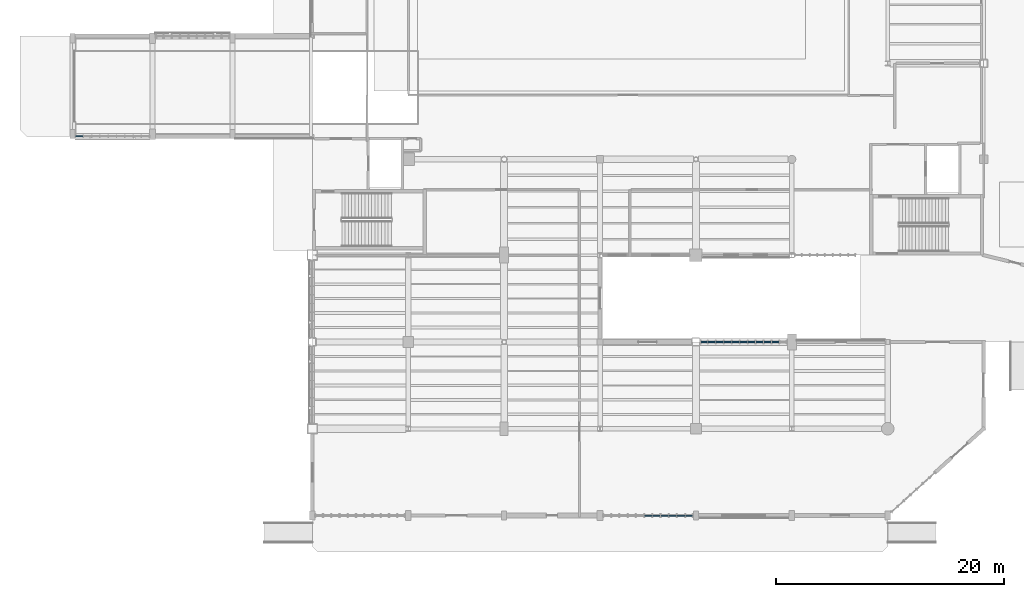
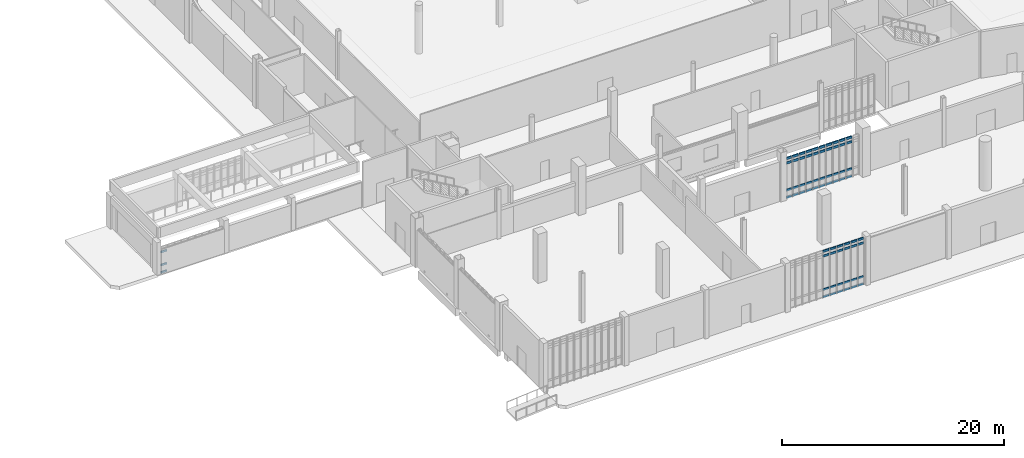
# One storey, part 37 of 111: 67 members, 3 elements without a shape of their own.
"""IFC4 building model written with IfcOpenShell, lengths in metres."""

import ifcopenshell
import ifcopenshell.guid

model = None  # the IFC model being written
_history = None  # IfcOwnerHistory: only IFC2X3 demands one
_inside = {}  # id of a spatial element -> (the spatial element, [elements in it])
_under = {}  # id of a project, library or spatial element -> (it, [spatial elements below it])
_declared = {}  # id of a project -> (the project, [libraries it declares])
_typed = {}  # id of a type object -> (the type object, [elements of that type])
_made_of = {}  # id of a material, layer set ... -> (it, [elements and type objects made of it])


def new_model(schema):
    """Start an empty IFC model of exactly this schema.

    Asked for "IFC4X3", IfcOpenShell would pick the latest addendum, in which some entities
    have other attributes; the version numbers below select the first issue.
    IFC2X3 requires an IfcOwnerHistory on every rooted entity: one is made here for all.
    """
    global model, _history
    if schema == "IFC4X3":
        model = ifcopenshell.file(schema_version=(4, 3, 0, 0))
    else:
        model = ifcopenshell.file(schema=schema)
    _inside.clear()
    _under.clear()
    _declared.clear()
    _typed.clear()
    _made_of.clear()
    _history = None
    if model.schema == "IFC2X3":
        org = make("IfcOrganization", Name="unknown")
        user = make(
            "IfcPersonAndOrganization",
            ThePerson=make("IfcPerson", FamilyName="unknown"),
            TheOrganization=org,
        )
        app = make(
            "IfcApplication",
            ApplicationDeveloper=org,
            Version="unknown",
            ApplicationFullName="unknown",
            ApplicationIdentifier="unknown",
        )
        _history = make(
            "IfcOwnerHistory",
            OwningUser=user,
            OwningApplication=app,
            ChangeAction="ADDED",
            CreationDate=0,
        )
    return model


def make(cls, **values):
    """One entity of the class cls with the attributes given. An attribute that is None is left unset."""
    return model.create_entity(
        cls, **{name: value for name, value in values.items() if value is not None}
    )


def rooted(cls, **values):
    """An entity with a GlobalId (a new one), such as an element, a storey or a relation."""
    return make(cls, GlobalId=ifcopenshell.guid.new(), OwnerHistory=_history, **values)


def si_unit(unit_type, name, prefix=None):
    """IfcSIUnit, for example si_unit("LENGTHUNIT", "METRE", prefix="MILLI")."""
    return make("IfcSIUnit", UnitType=unit_type, Prefix=prefix, Name=name)


def assignment(units):
    """IfcUnitAssignment: the units of a project."""
    return None if units is None else make("IfcUnitAssignment", Units=units)


def point(xyz):
    """IfcCartesianPoint."""
    return None if xyz is None else make("IfcCartesianPoint", Coordinates=xyz)


def direction(xyz):
    """IfcDirection."""
    return None if xyz is None else make("IfcDirection", DirectionRatios=xyz)


def frame(location, z_axis=None, x_axis=None):
    """IfcAxis2Placement3D, a coordinate frame: its origin and axes. An axis left out is left unset."""
    return make(
        "IfcAxis2Placement3D",
        Location=point(location),
        Axis=direction(z_axis),
        RefDirection=direction(x_axis),
    )


def frame_2d(location, x_axis=None):
    """IfcAxis2Placement2D, a coordinate frame in the plane: its origin and x axis."""
    return make(
        "IfcAxis2Placement2D", Location=point(location), RefDirection=direction(x_axis)
    )


def origin():
    """The frame at (0, 0, 0) with its axes left unset."""
    return frame((0.0, 0.0, 0.0))


def origin_2d():
    """The frame at (0, 0) in the plane with its x axis left unset."""
    return frame_2d((0.0, 0.0))


def place(relative_to, where):
    """IfcLocalPlacement: puts the frame where relative to a parent placement (None: the world)."""
    return make(
        "IfcLocalPlacement", PlacementRelTo=relative_to, RelativePlacement=where
    )


def context(
    kind, dimensions, precision=None, world=None, true_north=None, identifier=None
):
    """IfcGeometricRepresentationContext, for example the 3D "Model" context."""
    return make(
        "IfcGeometricRepresentationContext",
        ContextIdentifier=identifier,
        ContextType=kind,
        CoordinateSpaceDimension=dimensions,
        Precision=precision,
        WorldCoordinateSystem=world,
        TrueNorth=true_north,
    )


def subcontext(parent, identifier, kind, view, scale=None):
    """IfcGeometricRepresentationSubContext, for example "Body" below "Model"."""
    return make(
        "IfcGeometricRepresentationSubContext",
        ContextIdentifier=identifier,
        ContextType=kind,
        ParentContext=parent,
        TargetScale=scale,
        TargetView=view,
    )


def project(units=None, contexts=None):
    """IfcProject with its units and contexts."""
    return rooted(
        "IfcProject",
        Name="project",
        RepresentationContexts=contexts,
        UnitsInContext=assignment(units),
    )


def spatial(cls, under=None, at=None, **own):
    """A site, building, storey or space (cls), placed at a placement, below another one or the project."""
    s = rooted(cls, ObjectPlacement=at, **own)
    if under is not None:
        _under.setdefault(under.id(), (under, []))[1].append(s)
    return s


def profile(cls, at=None, kind="AREA", **sizes):
    """A parametric profile (cls). Its sizes go by their IFC names, for example OverallWidth=200.0."""
    return make(cls, ProfileType=kind, Position=at, **sizes)


def rectangle(**sizes):
    """IfcRectangleProfileDef."""
    return profile("IfcRectangleProfileDef", **sizes)


def extrude(swept, where, along, depth):
    """IfcExtrudedAreaSolid: the profile swept, set in the frame where, extruded along a direction by depth."""
    return make(
        "IfcExtrudedAreaSolid",
        SweptArea=swept,
        Position=where,
        ExtrudedDirection=direction(along),
        Depth=depth,
    )


def shape(context_of_items, identifier, shape_type, items):
    """IfcShapeRepresentation: the items that make up one representation, for example the "Body"."""
    return make(
        "IfcShapeRepresentation",
        ContextOfItems=context_of_items,
        RepresentationIdentifier=identifier,
        RepresentationType=shape_type,
        Items=items,
    )


def material(Name=None, Category=None):
    """IfcMaterial."""
    return make("IfcMaterial", Name=Name, Category=Category)


def material_profile(
    of_material, cross_section, Name=None, Category=None, Priority=None
):
    """IfcMaterialProfile: a cross section and its material."""
    return make(
        "IfcMaterialProfile",
        Name=Name,
        Material=of_material,
        Profile=cross_section,
        Priority=Priority,
        Category=Category,
    )


def profile_set(profiles, Name=None, composite=None):
    """IfcMaterialProfileSet."""
    return make(
        "IfcMaterialProfileSet",
        Name=Name,
        MaterialProfiles=profiles,
        CompositeProfile=composite,
    )


def made_of(thing, what):
    """Note that an element or type object is made of a material, layer set ...; save() writes the relation."""
    if what is not None:
        _made_of.setdefault(what.id(), (what, []))[1].append(thing)
    return thing


def type_object(cls, material=None, **own):
    """A type object (cls), such as IfcWallType, which elements share."""
    return made_of(rooted(cls, **own), material)


def element(
    cls,
    number,
    at=None,
    inside=None,
    cuts=None,
    type_object=None,
    material=None,
    context=None,
    identifier="Body",
    shape_type=None,
    held_by="IfcProductDefinitionShape",
    body=None,
    shapes=None,
    **own,
):
    """One element of the class cls, such as IfcWall. Its Tag is "e" and its number.

    at: its placement. inside: the storey or other place that contains it. cuts: it is an
    opening in that element (IfcRelVoidsElement). A single representation is given by context,
    identifier, shape_type and body (its items); several are given by shapes. held_by: the class
    of the entity that holds the representations. save() writes the other relations.
    """
    e = rooted(cls, Tag="e%d" % number, ObjectPlacement=at, **own)
    if body is not None:
        shapes = [shape(context, identifier, shape_type, body)]
    if shapes is not None:
        e.Representation = make(held_by, Representations=shapes)
    if inside is not None:
        _inside.setdefault(inside.id(), (inside, []))[1].append(e)
    if cuts is not None:
        rooted(
            "IfcRelVoidsElement", RelatingBuildingElement=cuts, RelatedOpeningElement=e
        )
    if type_object is not None:
        _typed.setdefault(type_object.id(), (type_object, []))[1].append(e)
    return made_of(e, material)


def aggregate(whole, parts):
    """IfcRelAggregates: a whole, such as a stair, and the parts it consists of."""
    return rooted("IfcRelAggregates", RelatingObject=whole, RelatedObjects=parts)


def save(model, path):
    """Write the relations noted so far, then the file.

    IfcRelAggregates (storeys below a building ...), IfcRelContainedInSpatialStructure (elements
    in a storey), IfcRelDefinesByType, IfcRelAssociatesMaterial and IfcRelDeclares: one each for
    every whole, place, type object, material and project.
    """
    for whole, parts in _under.values():
        aggregate(whole, parts)
    for where, things in _inside.values():
        rooted(
            "IfcRelContainedInSpatialStructure",
            RelatedElements=things,
            RelatingStructure=where,
        )
    for kind, things in _typed.values():
        rooted("IfcRelDefinesByType", RelatedObjects=things, RelatingType=kind)
    for what, things in _made_of.values():
        rooted("IfcRelAssociatesMaterial", RelatedObjects=things, RelatingMaterial=what)
    for by, libraries in _declared.values():
        rooted("IfcRelDeclares", RelatingContext=by, RelatedDefinitions=libraries)
    model.write(path)


model = new_model("IFC4")

# Units and contexts
model_context = context("Model", 3, precision=1e-05, world=origin(), true_north=direction((0.0, 1.0)))
body_context = subcontext(model_context, "Body", "Model", "MODEL_VIEW")
ifc_project = project(units=[si_unit("LENGTHUNIT", "METRE"), si_unit("AREAUNIT", "SQUARE_METRE"), si_unit("VOLUMEUNIT", "CUBIC_METRE"), si_unit("PLANEANGLEUNIT", "RADIAN"), si_unit("MASSUNIT", "GRAM", prefix="KILO")], contexts=[model_context])

# Site, building, storey
site_placement = place(None, origin())
site = spatial("IfcSite", under=ifc_project, at=site_placement, CompositionType="ELEMENT")
building_placement = place(site_placement, origin())
building = spatial("IfcBuilding", under=site, at=building_placement, Name="Larkvane Passage Sports Hall", CompositionType="ELEMENT")
storey_placement = place(building_placement, origin())
storey = spatial("IfcBuildingStorey", under=building, at=storey_placement, Name="L00", CompositionType="ELEMENT", Elevation=0.0)

# Curtain wall, members
ifc_material_1 = material(Name="Thermally broken aluminium and low-E glazing", Category="aluminium")
curtain_wall_type_1 = type_object("IfcCurtainWallType", Name="CW-CLINIC", PredefinedType="USERDEFINED", material=ifc_material_1)
curtain_wall_1_placement = place(storey_placement, origin())
curtain_wall_1 = element("IfcCurtainWall", 1, at=curtain_wall_1_placement, inside=storey, type_object=curtain_wall_type_1, Name="Curtain wall CW5-L00-027", ObjectType="UNITISED CURTAIN WALL", PredefinedType="USERDEFINED")
ifc_material_2 = material(Name="Anodised aluminium 6063-T6", Category="aluminium")
ifc_material_profile_1 = material_profile(ifc_material_2, rectangle(XDim=0.10009765625, YDim=0.260009765625, at=origin_2d()), Name="ALU-TRN-100x260")
ifc_profile_set_1 = profile_set([ifc_material_profile_1], Name="Anodised aluminium 6063-T6")
member_type_1 = type_object("IfcMemberType", Name="CW-TRN-100x260", PredefinedType="USERDEFINED", material=ifc_profile_set_1)
member_1_placement = place(storey_placement, frame((68.845947265625, 15.199951171875, 0.050048828125), z_axis=(1.0, 0.0, 0.0), x_axis=(0.0, 1.0, 0.0)))
member_1 = element("IfcMember", 2, at=member_1_placement, type_object=member_type_1, Name="CW-05 transom 1.1", ObjectType="TRANSOM", PredefinedType="USERDEFINED", context=body_context, shape_type="SweptSolid", body=[
    extrude(rectangle(XDim=0.10009765625, YDim=0.260009765625, at=origin_2d()), origin(), (0.0, 0.0, 1.0), 0.546142578125),
])
member_2_placement = place(storey_placement, frame((68.845947265625, 15.199951171875, 0.85009765625), z_axis=(1.0, 0.0, 0.0), x_axis=(0.0, 1.0, 0.0)))
member_2 = element("IfcMember", 3, at=member_2_placement, type_object=member_type_1, Name="CW-05 transom 1.2", ObjectType="TRANSOM", PredefinedType="USERDEFINED", context=body_context, shape_type="SweptSolid", body=[
    extrude(rectangle(XDim=0.10009765625, YDim=0.260009765625, at=origin_2d()), origin(), (0.0, 0.0, 1.0), 0.546142578125),
])
member_3_placement = place(storey_placement, frame((68.845947265625, 15.199951171875, 3.8359375), z_axis=(1.0, 0.0, 0.0), x_axis=(0.0, 1.0, 0.0)))
member_3 = element("IfcMember", 4, at=member_3_placement, type_object=member_type_1, Name="CW-05 transom 1.3", ObjectType="TRANSOM", PredefinedType="USERDEFINED", context=body_context, shape_type="SweptSolid", body=[
    extrude(rectangle(XDim=0.10009765625, YDim=0.260009765625, at=origin_2d()), origin(), (0.0, 0.0, 1.0), 0.546142578125),
])
member_4_placement = place(storey_placement, frame((68.845947265625, 15.199951171875, 4.3359375), z_axis=(1.0, 0.0, 0.0), x_axis=(0.0, 1.0, 0.0)))
member_4 = element("IfcMember", 5, at=member_4_placement, type_object=member_type_1, Name="CW-05 transom 1.4", ObjectType="TRANSOM", PredefinedType="USERDEFINED", context=body_context, shape_type="SweptSolid", body=[
    extrude(rectangle(XDim=0.10009765625, YDim=0.260009765625, at=origin_2d()), origin(), (0.0, 0.0, 1.0), 0.546142578125),
])
member_5_placement = place(storey_placement, frame((69.4921875, 15.199951171875, 0.050048828125), z_axis=(1.0, 0.0, 0.0), x_axis=(0.0, 1.0, 0.0)))
member_5 = element("IfcMember", 6, at=member_5_placement, type_object=member_type_1, Name="CW-05 transom 2.1", ObjectType="TRANSOM", PredefinedType="USERDEFINED", context=body_context, shape_type="SweptSolid", body=[
    extrude(rectangle(XDim=0.10009765625, YDim=0.260009765625, at=origin_2d()), origin(), (0.0, 0.0, 1.0), 0.59619140625),
])
member_6_placement = place(storey_placement, frame((69.4921875, 15.199951171875, 0.85009765625), z_axis=(1.0, 0.0, 0.0), x_axis=(0.0, 1.0, 0.0)))
member_6 = element("IfcMember", 7, at=member_6_placement, type_object=member_type_1, Name="CW-05 transom 2.2", ObjectType="TRANSOM", PredefinedType="USERDEFINED", context=body_context, shape_type="SweptSolid", body=[
    extrude(rectangle(XDim=0.10009765625, YDim=0.260009765625, at=origin_2d()), origin(), (0.0, 0.0, 1.0), 0.59619140625),
])
member_7_placement = place(storey_placement, frame((69.4921875, 15.199951171875, 3.8359375), z_axis=(1.0, 0.0, 0.0), x_axis=(0.0, 1.0, 0.0)))
member_7 = element("IfcMember", 8, at=member_7_placement, type_object=member_type_1, Name="CW-05 transom 2.3", ObjectType="TRANSOM", PredefinedType="USERDEFINED", context=body_context, shape_type="SweptSolid", body=[
    extrude(rectangle(XDim=0.10009765625, YDim=0.260009765625, at=origin_2d()), origin(), (0.0, 0.0, 1.0), 0.59619140625),
])
member_8_placement = place(storey_placement, frame((69.4921875, 15.199951171875, 4.3359375), z_axis=(1.0, 0.0, 0.0), x_axis=(0.0, 1.0, 0.0)))
member_8 = element("IfcMember", 9, at=member_8_placement, type_object=member_type_1, Name="CW-05 transom 2.4", ObjectType="TRANSOM", PredefinedType="USERDEFINED", context=body_context, shape_type="SweptSolid", body=[
    extrude(rectangle(XDim=0.10009765625, YDim=0.260009765625, at=origin_2d()), origin(), (0.0, 0.0, 1.0), 0.59619140625),
])
member_9_placement = place(storey_placement, frame((70.1884765625, 15.199951171875, 0.050048828125), z_axis=(1.0, 0.0, 0.0), x_axis=(0.0, 1.0, 0.0)))
member_9 = element("IfcMember", 10, at=member_9_placement, type_object=member_type_1, Name="CW-05 transom 3.1", ObjectType="TRANSOM", PredefinedType="USERDEFINED", context=body_context, shape_type="SweptSolid", body=[
    extrude(rectangle(XDim=0.10009765625, YDim=0.260009765625, at=origin_2d()), origin(), (0.0, 0.0, 1.0), 0.595947265625),
])
member_10_placement = place(storey_placement, frame((70.1884765625, 15.199951171875, 0.85009765625), z_axis=(1.0, 0.0, 0.0), x_axis=(0.0, 1.0, 0.0)))
member_10 = element("IfcMember", 11, at=member_10_placement, type_object=member_type_1, Name="CW-05 transom 3.2", ObjectType="TRANSOM", PredefinedType="USERDEFINED", context=body_context, shape_type="SweptSolid", body=[
    extrude(rectangle(XDim=0.10009765625, YDim=0.260009765625, at=origin_2d()), origin(), (0.0, 0.0, 1.0), 0.595947265625),
])
member_11_placement = place(storey_placement, frame((70.1884765625, 15.199951171875, 3.8359375), z_axis=(1.0, 0.0, 0.0), x_axis=(0.0, 1.0, 0.0)))
member_11 = element("IfcMember", 12, at=member_11_placement, type_object=member_type_1, Name="CW-05 transom 3.3", ObjectType="TRANSOM", PredefinedType="USERDEFINED", context=body_context, shape_type="SweptSolid", body=[
    extrude(rectangle(XDim=0.10009765625, YDim=0.260009765625, at=origin_2d()), origin(), (0.0, 0.0, 1.0), 0.595947265625),
])
member_12_placement = place(storey_placement, frame((70.1884765625, 15.199951171875, 4.3359375), z_axis=(1.0, 0.0, 0.0), x_axis=(0.0, 1.0, 0.0)))
member_12 = element("IfcMember", 13, at=member_12_placement, type_object=member_type_1, Name="CW-05 transom 3.4", ObjectType="TRANSOM", PredefinedType="USERDEFINED", context=body_context, shape_type="SweptSolid", body=[
    extrude(rectangle(XDim=0.10009765625, YDim=0.260009765625, at=origin_2d()), origin(), (0.0, 0.0, 1.0), 0.595947265625),
])
member_13_placement = place(storey_placement, frame((70.884521484375, 15.199951171875, 0.050048828125), z_axis=(1.0, 0.0, 0.0), x_axis=(0.0, 1.0, 0.0)))
member_13 = element("IfcMember", 14, at=member_13_placement, type_object=member_type_1, Name="CW-05 transom 4.1", ObjectType="TRANSOM", PredefinedType="USERDEFINED", context=body_context, shape_type="SweptSolid", body=[
    extrude(rectangle(XDim=0.10009765625, YDim=0.260009765625, at=origin_2d()), origin(), (0.0, 0.0, 1.0), 0.59619140625),
])
member_14_placement = place(storey_placement, frame((70.884521484375, 15.199951171875, 0.85009765625), z_axis=(1.0, 0.0, 0.0), x_axis=(0.0, 1.0, 0.0)))
member_14 = element("IfcMember", 15, at=member_14_placement, type_object=member_type_1, Name="CW-05 transom 4.2", ObjectType="TRANSOM", PredefinedType="USERDEFINED", context=body_context, shape_type="SweptSolid", body=[
    extrude(rectangle(XDim=0.10009765625, YDim=0.260009765625, at=origin_2d()), origin(), (0.0, 0.0, 1.0), 0.59619140625),
])
member_15_placement = place(storey_placement, frame((70.884521484375, 15.199951171875, 3.8359375), z_axis=(1.0, 0.0, 0.0), x_axis=(0.0, 1.0, 0.0)))
member_15 = element("IfcMember", 16, at=member_15_placement, type_object=member_type_1, Name="CW-05 transom 4.3", ObjectType="TRANSOM", PredefinedType="USERDEFINED", context=body_context, shape_type="SweptSolid", body=[
    extrude(rectangle(XDim=0.10009765625, YDim=0.260009765625, at=origin_2d()), origin(), (0.0, 0.0, 1.0), 0.59619140625),
])
member_16_placement = place(storey_placement, frame((70.884521484375, 15.199951171875, 4.3359375), z_axis=(1.0, 0.0, 0.0), x_axis=(0.0, 1.0, 0.0)))
member_16 = element("IfcMember", 17, at=member_16_placement, type_object=member_type_1, Name="CW-05 transom 4.4", ObjectType="TRANSOM", PredefinedType="USERDEFINED", context=body_context, shape_type="SweptSolid", body=[
    extrude(rectangle(XDim=0.10009765625, YDim=0.260009765625, at=origin_2d()), origin(), (0.0, 0.0, 1.0), 0.59619140625),
])
member_17_placement = place(storey_placement, frame((71.580810546875, 15.199951171875, 0.050048828125), z_axis=(1.0, 0.0, 0.0), x_axis=(0.0, 1.0, 0.0)))
member_17 = element("IfcMember", 18, at=member_17_placement, type_object=member_type_1, Name="CW-05 transom 5.1", ObjectType="TRANSOM", PredefinedType="USERDEFINED", context=body_context, shape_type="SweptSolid", body=[
    extrude(rectangle(XDim=0.10009765625, YDim=0.260009765625, at=origin_2d()), origin(), (0.0, 0.0, 1.0), 0.59619140625),
])
member_18_placement = place(storey_placement, frame((71.580810546875, 15.199951171875, 0.85009765625), z_axis=(1.0, 0.0, 0.0), x_axis=(0.0, 1.0, 0.0)))
member_18 = element("IfcMember", 19, at=member_18_placement, type_object=member_type_1, Name="CW-05 transom 5.2", ObjectType="TRANSOM", PredefinedType="USERDEFINED", context=body_context, shape_type="SweptSolid", body=[
    extrude(rectangle(XDim=0.10009765625, YDim=0.260009765625, at=origin_2d()), origin(), (0.0, 0.0, 1.0), 0.59619140625),
])
member_19_placement = place(storey_placement, frame((71.580810546875, 15.199951171875, 3.8359375), z_axis=(1.0, 0.0, 0.0), x_axis=(0.0, 1.0, 0.0)))
member_19 = element("IfcMember", 20, at=member_19_placement, type_object=member_type_1, Name="CW-05 transom 5.3", ObjectType="TRANSOM", PredefinedType="USERDEFINED", context=body_context, shape_type="SweptSolid", body=[
    extrude(rectangle(XDim=0.10009765625, YDim=0.260009765625, at=origin_2d()), origin(), (0.0, 0.0, 1.0), 0.59619140625),
])
member_20_placement = place(storey_placement, frame((71.580810546875, 15.199951171875, 4.3359375), z_axis=(1.0, 0.0, 0.0), x_axis=(0.0, 1.0, 0.0)))
member_20 = element("IfcMember", 21, at=member_20_placement, type_object=member_type_1, Name="CW-05 transom 5.4", ObjectType="TRANSOM", PredefinedType="USERDEFINED", context=body_context, shape_type="SweptSolid", body=[
    extrude(rectangle(XDim=0.10009765625, YDim=0.260009765625, at=origin_2d()), origin(), (0.0, 0.0, 1.0), 0.59619140625),
])
member_21_placement = place(storey_placement, frame((72.27685546875, 15.199951171875, 0.050048828125), z_axis=(1.0, 0.0, 0.0), x_axis=(0.0, 1.0, 0.0)))
member_21 = element("IfcMember", 22, at=member_21_placement, type_object=member_type_1, Name="CW-05 transom 6.1", ObjectType="TRANSOM", PredefinedType="USERDEFINED", context=body_context, shape_type="SweptSolid", body=[
    extrude(rectangle(XDim=0.10009765625, YDim=0.260009765625, at=origin_2d()), origin(), (0.0, 0.0, 1.0), 0.59619140625),
])
member_22_placement = place(storey_placement, frame((72.27685546875, 15.199951171875, 0.85009765625), z_axis=(1.0, 0.0, 0.0), x_axis=(0.0, 1.0, 0.0)))
member_22 = element("IfcMember", 23, at=member_22_placement, type_object=member_type_1, Name="CW-05 transom 6.2", ObjectType="TRANSOM", PredefinedType="USERDEFINED", context=body_context, shape_type="SweptSolid", body=[
    extrude(rectangle(XDim=0.10009765625, YDim=0.260009765625, at=origin_2d()), origin(), (0.0, 0.0, 1.0), 0.59619140625),
])
member_23_placement = place(storey_placement, frame((72.27685546875, 15.199951171875, 3.8359375), z_axis=(1.0, 0.0, 0.0), x_axis=(0.0, 1.0, 0.0)))
member_23 = element("IfcMember", 24, at=member_23_placement, type_object=member_type_1, Name="CW-05 transom 6.3", ObjectType="TRANSOM", PredefinedType="USERDEFINED", context=body_context, shape_type="SweptSolid", body=[
    extrude(rectangle(XDim=0.10009765625, YDim=0.260009765625, at=origin_2d()), origin(), (0.0, 0.0, 1.0), 0.59619140625),
])
member_24_placement = place(storey_placement, frame((72.27685546875, 15.199951171875, 4.3359375), z_axis=(1.0, 0.0, 0.0), x_axis=(0.0, 1.0, 0.0)))
member_24 = element("IfcMember", 25, at=member_24_placement, type_object=member_type_1, Name="CW-05 transom 6.4", ObjectType="TRANSOM", PredefinedType="USERDEFINED", context=body_context, shape_type="SweptSolid", body=[
    extrude(rectangle(XDim=0.10009765625, YDim=0.260009765625, at=origin_2d()), origin(), (0.0, 0.0, 1.0), 0.59619140625),
])
member_25_placement = place(storey_placement, frame((72.97314453125, 15.199951171875, 0.050048828125), z_axis=(1.0, 0.0, 0.0), x_axis=(0.0, 1.0, 0.0)))
member_25 = element("IfcMember", 26, at=member_25_placement, type_object=member_type_1, Name="CW-05 transom 7.1", ObjectType="TRANSOM", PredefinedType="USERDEFINED", context=body_context, shape_type="SweptSolid", body=[
    extrude(rectangle(XDim=0.10009765625, YDim=0.260009765625, at=origin_2d()), origin(), (0.0, 0.0, 1.0), 0.59619140625),
])
member_26_placement = place(storey_placement, frame((72.97314453125, 15.199951171875, 0.85009765625), z_axis=(1.0, 0.0, 0.0), x_axis=(0.0, 1.0, 0.0)))
member_26 = element("IfcMember", 27, at=member_26_placement, type_object=member_type_1, Name="CW-05 transom 7.2", ObjectType="TRANSOM", PredefinedType="USERDEFINED", context=body_context, shape_type="SweptSolid", body=[
    extrude(rectangle(XDim=0.10009765625, YDim=0.260009765625, at=origin_2d()), origin(), (0.0, 0.0, 1.0), 0.59619140625),
])
member_27_placement = place(storey_placement, frame((72.97314453125, 15.199951171875, 3.8359375), z_axis=(1.0, 0.0, 0.0), x_axis=(0.0, 1.0, 0.0)))
member_27 = element("IfcMember", 28, at=member_27_placement, type_object=member_type_1, Name="CW-05 transom 7.3", ObjectType="TRANSOM", PredefinedType="USERDEFINED", context=body_context, shape_type="SweptSolid", body=[
    extrude(rectangle(XDim=0.10009765625, YDim=0.260009765625, at=origin_2d()), origin(), (0.0, 0.0, 1.0), 0.59619140625),
])
member_28_placement = place(storey_placement, frame((72.97314453125, 15.199951171875, 4.3359375), z_axis=(1.0, 0.0, 0.0), x_axis=(0.0, 1.0, 0.0)))
member_28 = element("IfcMember", 29, at=member_28_placement, type_object=member_type_1, Name="CW-05 transom 7.4", ObjectType="TRANSOM", PredefinedType="USERDEFINED", context=body_context, shape_type="SweptSolid", body=[
    extrude(rectangle(XDim=0.10009765625, YDim=0.260009765625, at=origin_2d()), origin(), (0.0, 0.0, 1.0), 0.59619140625),
])
member_29_placement = place(storey_placement, frame((73.669189453125, 15.199951171875, 0.050048828125), z_axis=(1.0, 0.0, 0.0), x_axis=(0.0, 1.0, 0.0)))
member_29 = element("IfcMember", 30, at=member_29_placement, type_object=member_type_1, Name="CW-05 transom 8.1", ObjectType="TRANSOM", PredefinedType="USERDEFINED", context=body_context, shape_type="SweptSolid", body=[
    extrude(rectangle(XDim=0.10009765625, YDim=0.260009765625, at=origin_2d()), origin(), (0.0, 0.0, 1.0), 0.59619140625),
])
member_30_placement = place(storey_placement, frame((73.669189453125, 15.199951171875, 0.85009765625), z_axis=(1.0, 0.0, 0.0), x_axis=(0.0, 1.0, 0.0)))
member_30 = element("IfcMember", 31, at=member_30_placement, type_object=member_type_1, Name="CW-05 transom 8.2", ObjectType="TRANSOM", PredefinedType="USERDEFINED", context=body_context, shape_type="SweptSolid", body=[
    extrude(rectangle(XDim=0.10009765625, YDim=0.260009765625, at=origin_2d()), origin(), (0.0, 0.0, 1.0), 0.59619140625),
])
member_31_placement = place(storey_placement, frame((73.669189453125, 15.199951171875, 3.8359375), z_axis=(1.0, 0.0, 0.0), x_axis=(0.0, 1.0, 0.0)))
member_31 = element("IfcMember", 32, at=member_31_placement, type_object=member_type_1, Name="CW-05 transom 8.3", ObjectType="TRANSOM", PredefinedType="USERDEFINED", context=body_context, shape_type="SweptSolid", body=[
    extrude(rectangle(XDim=0.10009765625, YDim=0.260009765625, at=origin_2d()), origin(), (0.0, 0.0, 1.0), 0.59619140625),
])
member_32_placement = place(storey_placement, frame((73.669189453125, 15.199951171875, 4.3359375), z_axis=(1.0, 0.0, 0.0), x_axis=(0.0, 1.0, 0.0)))
member_32 = element("IfcMember", 33, at=member_32_placement, type_object=member_type_1, Name="CW-05 transom 8.4", ObjectType="TRANSOM", PredefinedType="USERDEFINED", context=body_context, shape_type="SweptSolid", body=[
    extrude(rectangle(XDim=0.10009765625, YDim=0.260009765625, at=origin_2d()), origin(), (0.0, 0.0, 1.0), 0.59619140625),
])
member_33_placement = place(storey_placement, frame((74.365478515625, 15.199951171875, 0.050048828125), z_axis=(1.0, 0.0, 0.0), x_axis=(0.0, 1.0, 0.0)))
member_33 = element("IfcMember", 34, at=member_33_placement, type_object=member_type_1, Name="CW-05 transom 9.1", ObjectType="TRANSOM", PredefinedType="USERDEFINED", context=body_context, shape_type="SweptSolid", body=[
    extrude(rectangle(XDim=0.10009765625, YDim=0.260009765625, at=origin_2d()), origin(), (0.0, 0.0, 1.0), 0.59619140625),
])
member_34_placement = place(storey_placement, frame((74.365478515625, 15.199951171875, 0.85009765625), z_axis=(1.0, 0.0, 0.0), x_axis=(0.0, 1.0, 0.0)))
member_34 = element("IfcMember", 35, at=member_34_placement, type_object=member_type_1, Name="CW-05 transom 9.2", ObjectType="TRANSOM", PredefinedType="USERDEFINED", context=body_context, shape_type="SweptSolid", body=[
    extrude(rectangle(XDim=0.10009765625, YDim=0.260009765625, at=origin_2d()), origin(), (0.0, 0.0, 1.0), 0.59619140625),
])
member_35_placement = place(storey_placement, frame((74.365478515625, 15.199951171875, 3.8359375), z_axis=(1.0, 0.0, 0.0), x_axis=(0.0, 1.0, 0.0)))
member_35 = element("IfcMember", 36, at=member_35_placement, type_object=member_type_1, Name="CW-05 transom 9.3", ObjectType="TRANSOM", PredefinedType="USERDEFINED", context=body_context, shape_type="SweptSolid", body=[
    extrude(rectangle(XDim=0.10009765625, YDim=0.260009765625, at=origin_2d()), origin(), (0.0, 0.0, 1.0), 0.59619140625),
])
member_36_placement = place(storey_placement, frame((74.365478515625, 15.199951171875, 4.3359375), z_axis=(1.0, 0.0, 0.0), x_axis=(0.0, 1.0, 0.0)))
member_36 = element("IfcMember", 37, at=member_36_placement, type_object=member_type_1, Name="CW-05 transom 9.4", ObjectType="TRANSOM", PredefinedType="USERDEFINED", context=body_context, shape_type="SweptSolid", body=[
    extrude(rectangle(XDim=0.10009765625, YDim=0.260009765625, at=origin_2d()), origin(), (0.0, 0.0, 1.0), 0.59619140625),
])
member_37_placement = place(storey_placement, frame((75.0615234375, 15.199951171875, 0.050048828125), z_axis=(1.0, 0.0, 0.0), x_axis=(0.0, 1.0, 0.0)))
member_37 = element("IfcMember", 38, at=member_37_placement, type_object=member_type_1, Name="CW-05 transom 10.1", ObjectType="TRANSOM", PredefinedType="USERDEFINED", context=body_context, shape_type="SweptSolid", body=[
    extrude(rectangle(XDim=0.10009765625, YDim=0.260009765625, at=origin_2d()), origin(), (0.0, 0.0, 1.0), 0.59619140625),
])
member_38_placement = place(storey_placement, frame((75.0615234375, 15.199951171875, 0.85009765625), z_axis=(1.0, 0.0, 0.0), x_axis=(0.0, 1.0, 0.0)))
member_38 = element("IfcMember", 39, at=member_38_placement, type_object=member_type_1, Name="CW-05 transom 10.2", ObjectType="TRANSOM", PredefinedType="USERDEFINED", context=body_context, shape_type="SweptSolid", body=[
    extrude(rectangle(XDim=0.10009765625, YDim=0.260009765625, at=origin_2d()), origin(), (0.0, 0.0, 1.0), 0.59619140625),
])
member_39_placement = place(storey_placement, frame((75.0615234375, 15.199951171875, 3.8359375), z_axis=(1.0, 0.0, 0.0), x_axis=(0.0, 1.0, 0.0)))
member_39 = element("IfcMember", 40, at=member_39_placement, type_object=member_type_1, Name="CW-05 transom 10.3", ObjectType="TRANSOM", PredefinedType="USERDEFINED", context=body_context, shape_type="SweptSolid", body=[
    extrude(rectangle(XDim=0.10009765625, YDim=0.260009765625, at=origin_2d()), origin(), (0.0, 0.0, 1.0), 0.59619140625),
])
member_40_placement = place(storey_placement, frame((75.0615234375, 15.199951171875, 4.3359375), z_axis=(1.0, 0.0, 0.0), x_axis=(0.0, 1.0, 0.0)))
member_40 = element("IfcMember", 41, at=member_40_placement, type_object=member_type_1, Name="CW-05 transom 10.4", ObjectType="TRANSOM", PredefinedType="USERDEFINED", context=body_context, shape_type="SweptSolid", body=[
    extrude(rectangle(XDim=0.10009765625, YDim=0.260009765625, at=origin_2d()), origin(), (0.0, 0.0, 1.0), 0.59619140625),
])
aggregate(curtain_wall_1, [member_1, member_2, member_3, member_4, member_5, member_6, member_7, member_8, member_9, member_10, member_11, member_12, member_13, member_14, member_15, member_16, member_17, member_18, member_19, member_20, member_21, member_22, member_23, member_24, member_25, member_26, member_27, member_28, member_29, member_30, member_31, member_32, member_33, member_34, member_35, member_36, member_37, member_38, member_39, member_40])

curtain_wall_type_2 = type_object("IfcCurtainWallType", Name="CW-STICK-FOYER", PredefinedType="USERDEFINED", material=ifc_material_1)
curtain_wall_2_placement = place(storey_placement, origin())
curtain_wall_2 = element("IfcCurtainWall", 42, at=curtain_wall_2_placement, inside=storey, type_object=curtain_wall_type_2, Name="Curtain wall CW5-L00-006", ObjectType="STICK CURTAIN WALL", PredefinedType="USERDEFINED")
ifc_material_profile_2 = material_profile(ifc_material_2, rectangle(XDim=0.080078125, YDim=0.2099609375, at=origin_2d()), Name="ALU-TRN-80x210")
ifc_profile_set_2 = profile_set([ifc_material_profile_2], Name="Anodised aluminium 6063-T6")
member_type_2 = type_object("IfcMemberType", Name="CW-TRN-80x210", PredefinedType="USERDEFINED", material=ifc_profile_set_2)
member_41_placement = place(storey_placement, frame((14.706787109375, 33.199951171875, 0.0400390625), z_axis=(-1.0, 0.0, 0.0), x_axis=(0.0, -1.0, 0.0)))
member_41 = element("IfcMember", 43, at=member_41_placement, type_object=member_type_2, Name="CW-03 transom 9.1", ObjectType="TRANSOM", PredefinedType="USERDEFINED", context=body_context, shape_type="SweptSolid", body=[
    extrude(rectangle(XDim=0.080078125, YDim=0.2099609375, at=origin_2d()), origin(), (0.0, 0.0, 1.0), 0.605712890625),
])
member_42_placement = place(storey_placement, frame((14.706787109375, 33.199951171875, 0.85009765625), z_axis=(-1.0, 0.0, 0.0), x_axis=(0.0, -1.0, 0.0)))
member_42 = element("IfcMember", 44, at=member_42_placement, type_object=member_type_2, Name="CW-03 transom 9.2", ObjectType="TRANSOM", PredefinedType="USERDEFINED", context=body_context, shape_type="SweptSolid", body=[
    extrude(rectangle(XDim=0.080078125, YDim=0.2099609375, at=origin_2d()), origin(), (0.0, 0.0, 1.0), 0.605712890625),
])
member_43_placement = place(storey_placement, frame((14.706787109375, 33.199951171875, 2.2880859375), z_axis=(-1.0, 0.0, 0.0), x_axis=(0.0, -1.0, 0.0)))
member_43 = element("IfcMember", 45, at=member_43_placement, type_object=member_type_2, Name="CW-03 transom 9.3", ObjectType="TRANSOM", PredefinedType="USERDEFINED", context=body_context, shape_type="SweptSolid", body=[
    extrude(rectangle(XDim=0.080078125, YDim=0.2099609375, at=origin_2d()), origin(), (0.0, 0.0, 1.0), 0.605712890625),
])
aggregate(curtain_wall_2, [member_41, member_42, member_43])

curtain_wall_3_placement = place(storey_placement, origin())
curtain_wall_3 = element("IfcCurtainWall", 46, at=curtain_wall_3_placement, inside=storey, type_object=curtain_wall_type_2, Name="Curtain wall CW5-L00-002", ObjectType="STICK CURTAIN WALL", PredefinedType="USERDEFINED")
ifc_material_profile_3 = material_profile(ifc_material_2, rectangle(XDim=0.090087890625, YDim=0.235107421875, at=origin_2d()), Name="ALU-TRN-90x235")
ifc_profile_set_3 = profile_set([ifc_material_profile_3], Name="Anodised aluminium 6063-T6")
member_type_3 = type_object("IfcMemberType", Name="CW-TRN-90x235", PredefinedType="USERDEFINED", material=ifc_profile_set_3)
member_44_placement = place(storey_placement, frame((68.089111328125, 0.0, 0.044921875), z_axis=(-1.0, 0.0, 0.0), x_axis=(0.0, -1.0, 0.0)))
member_44 = element("IfcMember", 47, at=member_44_placement, type_object=member_type_3, Name="CW-03 transom 1.1", ObjectType="TRANSOM", PredefinedType="USERDEFINED", context=body_context, shape_type="SweptSolid", body=[
    extrude(rectangle(XDim=0.090087890625, YDim=0.235107421875, at=origin_2d()), origin(), (0.0, 0.0, 1.0), 0.586181640625),
])
member_45_placement = place(storey_placement, frame((68.089111328125, 0.0, 0.85009765625), z_axis=(-1.0, 0.0, 0.0), x_axis=(0.0, -1.0, 0.0)))
member_45 = element("IfcMember", 48, at=member_45_placement, type_object=member_type_3, Name="CW-03 transom 1.2", ObjectType="TRANSOM", PredefinedType="USERDEFINED", context=body_context, shape_type="SweptSolid", body=[
    extrude(rectangle(XDim=0.090087890625, YDim=0.235107421875, at=origin_2d()), origin(), (0.0, 0.0, 1.0), 0.586181640625),
])
member_46_placement = place(storey_placement, frame((68.089111328125, 0.0, 4.550048828125), z_axis=(-1.0, 0.0, 0.0), x_axis=(0.0, -1.0, 0.0)))
member_46 = element("IfcMember", 49, at=member_46_placement, type_object=member_type_3, Name="CW-03 transom 1.3", ObjectType="TRANSOM", PredefinedType="USERDEFINED", context=body_context, shape_type="SweptSolid", body=[
    extrude(rectangle(XDim=0.090087890625, YDim=0.235107421875, at=origin_2d()), origin(), (0.0, 0.0, 1.0), 0.586181640625),
])
member_47_placement = place(storey_placement, frame((68.089111328125, 0.0, 5.054931640625), z_axis=(-1.0, 0.0, 0.0), x_axis=(0.0, -1.0, 0.0)))
member_47 = element("IfcMember", 50, at=member_47_placement, type_object=member_type_3, Name="CW-03 transom 1.4", ObjectType="TRANSOM", PredefinedType="USERDEFINED", context=body_context, shape_type="SweptSolid", body=[
    extrude(rectangle(XDim=0.090087890625, YDim=0.235107421875, at=origin_2d()), origin(), (0.0, 0.0, 1.0), 0.586181640625),
])
member_48_placement = place(storey_placement, frame((67.412841796875, 0.0, 0.044921875), z_axis=(-1.0, 0.0, 0.0), x_axis=(0.0, -1.0, 0.0)))
member_48 = element("IfcMember", 51, at=member_48_placement, type_object=member_type_3, Name="CW-03 transom 2.1", ObjectType="TRANSOM", PredefinedType="USERDEFINED", context=body_context, shape_type="SweptSolid", body=[
    extrude(rectangle(XDim=0.090087890625, YDim=0.235107421875, at=origin_2d()), origin(), (0.0, 0.0, 1.0), 0.631103515625),
])
member_49_placement = place(storey_placement, frame((67.412841796875, 0.0, 0.85009765625), z_axis=(-1.0, 0.0, 0.0), x_axis=(0.0, -1.0, 0.0)))
member_49 = element("IfcMember", 52, at=member_49_placement, type_object=member_type_3, Name="CW-03 transom 2.2", ObjectType="TRANSOM", PredefinedType="USERDEFINED", context=body_context, shape_type="SweptSolid", body=[
    extrude(rectangle(XDim=0.090087890625, YDim=0.235107421875, at=origin_2d()), origin(), (0.0, 0.0, 1.0), 0.631103515625),
])
member_50_placement = place(storey_placement, frame((67.412841796875, 0.0, 4.550048828125), z_axis=(-1.0, 0.0, 0.0), x_axis=(0.0, -1.0, 0.0)))
member_50 = element("IfcMember", 53, at=member_50_placement, type_object=member_type_3, Name="CW-03 transom 2.3", ObjectType="TRANSOM", PredefinedType="USERDEFINED", context=body_context, shape_type="SweptSolid", body=[
    extrude(rectangle(XDim=0.090087890625, YDim=0.235107421875, at=origin_2d()), origin(), (0.0, 0.0, 1.0), 0.631103515625),
])
member_51_placement = place(storey_placement, frame((67.412841796875, 0.0, 5.054931640625), z_axis=(-1.0, 0.0, 0.0), x_axis=(0.0, -1.0, 0.0)))
member_51 = element("IfcMember", 54, at=member_51_placement, type_object=member_type_3, Name="CW-03 transom 2.4", ObjectType="TRANSOM", PredefinedType="USERDEFINED", context=body_context, shape_type="SweptSolid", body=[
    extrude(rectangle(XDim=0.090087890625, YDim=0.235107421875, at=origin_2d()), origin(), (0.0, 0.0, 1.0), 0.631103515625),
])
member_52_placement = place(storey_placement, frame((66.691650390625, 0.0, 0.044921875), z_axis=(-1.0, 0.0, 0.0), x_axis=(0.0, -1.0, 0.0)))
member_52 = element("IfcMember", 55, at=member_52_placement, type_object=member_type_3, Name="CW-03 transom 3.1", ObjectType="TRANSOM", PredefinedType="USERDEFINED", context=body_context, shape_type="SweptSolid", body=[
    extrude(rectangle(XDim=0.090087890625, YDim=0.235107421875, at=origin_2d()), origin(), (0.0, 0.0, 1.0), 0.631103515625),
])
member_53_placement = place(storey_placement, frame((66.691650390625, 0.0, 0.85009765625), z_axis=(-1.0, 0.0, 0.0), x_axis=(0.0, -1.0, 0.0)))
member_53 = element("IfcMember", 56, at=member_53_placement, type_object=member_type_3, Name="CW-03 transom 3.2", ObjectType="TRANSOM", PredefinedType="USERDEFINED", context=body_context, shape_type="SweptSolid", body=[
    extrude(rectangle(XDim=0.090087890625, YDim=0.235107421875, at=origin_2d()), origin(), (0.0, 0.0, 1.0), 0.631103515625),
])
member_54_placement = place(storey_placement, frame((66.691650390625, 0.0, 4.550048828125), z_axis=(-1.0, 0.0, 0.0), x_axis=(0.0, -1.0, 0.0)))
member_54 = element("IfcMember", 57, at=member_54_placement, type_object=member_type_3, Name="CW-03 transom 3.3", ObjectType="TRANSOM", PredefinedType="USERDEFINED", context=body_context, shape_type="SweptSolid", body=[
    extrude(rectangle(XDim=0.090087890625, YDim=0.235107421875, at=origin_2d()), origin(), (0.0, 0.0, 1.0), 0.631103515625),
])
member_55_placement = place(storey_placement, frame((66.691650390625, 0.0, 5.054931640625), z_axis=(-1.0, 0.0, 0.0), x_axis=(0.0, -1.0, 0.0)))
member_55 = element("IfcMember", 58, at=member_55_placement, type_object=member_type_3, Name="CW-03 transom 3.4", ObjectType="TRANSOM", PredefinedType="USERDEFINED", context=body_context, shape_type="SweptSolid", body=[
    extrude(rectangle(XDim=0.090087890625, YDim=0.235107421875, at=origin_2d()), origin(), (0.0, 0.0, 1.0), 0.631103515625),
])
member_56_placement = place(storey_placement, frame((65.970458984375, 0.0, 0.044921875), z_axis=(-1.0, 0.0, 0.0), x_axis=(0.0, -1.0, 0.0)))
member_56 = element("IfcMember", 59, at=member_56_placement, type_object=member_type_3, Name="CW-03 transom 4.1", ObjectType="TRANSOM", PredefinedType="USERDEFINED", context=body_context, shape_type="SweptSolid", body=[
    extrude(rectangle(XDim=0.090087890625, YDim=0.235107421875, at=origin_2d()), origin(), (0.0, 0.0, 1.0), 0.631103515625),
])
member_57_placement = place(storey_placement, frame((65.970458984375, 0.0, 0.85009765625), z_axis=(-1.0, 0.0, 0.0), x_axis=(0.0, -1.0, 0.0)))
member_57 = element("IfcMember", 60, at=member_57_placement, type_object=member_type_3, Name="CW-03 transom 4.2", ObjectType="TRANSOM", PredefinedType="USERDEFINED", context=body_context, shape_type="SweptSolid", body=[
    extrude(rectangle(XDim=0.090087890625, YDim=0.235107421875, at=origin_2d()), origin(), (0.0, 0.0, 1.0), 0.631103515625),
])
member_58_placement = place(storey_placement, frame((65.970458984375, 0.0, 4.550048828125), z_axis=(-1.0, 0.0, 0.0), x_axis=(0.0, -1.0, 0.0)))
member_58 = element("IfcMember", 61, at=member_58_placement, type_object=member_type_3, Name="CW-03 transom 4.3", ObjectType="TRANSOM", PredefinedType="USERDEFINED", context=body_context, shape_type="SweptSolid", body=[
    extrude(rectangle(XDim=0.090087890625, YDim=0.235107421875, at=origin_2d()), origin(), (0.0, 0.0, 1.0), 0.631103515625),
])
member_59_placement = place(storey_placement, frame((65.970458984375, 0.0, 5.054931640625), z_axis=(-1.0, 0.0, 0.0), x_axis=(0.0, -1.0, 0.0)))
member_59 = element("IfcMember", 62, at=member_59_placement, type_object=member_type_3, Name="CW-03 transom 4.4", ObjectType="TRANSOM", PredefinedType="USERDEFINED", context=body_context, shape_type="SweptSolid", body=[
    extrude(rectangle(XDim=0.090087890625, YDim=0.235107421875, at=origin_2d()), origin(), (0.0, 0.0, 1.0), 0.631103515625),
])
member_60_placement = place(storey_placement, frame((65.249267578125, 0.0, 0.044921875), z_axis=(-1.0, 0.0, 0.0), x_axis=(0.0, -1.0, 0.0)))
member_60 = element("IfcMember", 63, at=member_60_placement, type_object=member_type_3, Name="CW-03 transom 5.1", ObjectType="TRANSOM", PredefinedType="USERDEFINED", context=body_context, shape_type="SweptSolid", body=[
    extrude(rectangle(XDim=0.090087890625, YDim=0.235107421875, at=origin_2d()), origin(), (0.0, 0.0, 1.0), 0.631103515625),
])
member_61_placement = place(storey_placement, frame((65.249267578125, 0.0, 0.85009765625), z_axis=(-1.0, 0.0, 0.0), x_axis=(0.0, -1.0, 0.0)))
member_61 = element("IfcMember", 64, at=member_61_placement, type_object=member_type_3, Name="CW-03 transom 5.2", ObjectType="TRANSOM", PredefinedType="USERDEFINED", context=body_context, shape_type="SweptSolid", body=[
    extrude(rectangle(XDim=0.090087890625, YDim=0.235107421875, at=origin_2d()), origin(), (0.0, 0.0, 1.0), 0.631103515625),
])
member_62_placement = place(storey_placement, frame((65.249267578125, 0.0, 4.550048828125), z_axis=(-1.0, 0.0, 0.0), x_axis=(0.0, -1.0, 0.0)))
member_62 = element("IfcMember", 65, at=member_62_placement, type_object=member_type_3, Name="CW-03 transom 5.3", ObjectType="TRANSOM", PredefinedType="USERDEFINED", context=body_context, shape_type="SweptSolid", body=[
    extrude(rectangle(XDim=0.090087890625, YDim=0.235107421875, at=origin_2d()), origin(), (0.0, 0.0, 1.0), 0.631103515625),
])
member_63_placement = place(storey_placement, frame((65.249267578125, 0.0, 5.054931640625), z_axis=(-1.0, 0.0, 0.0), x_axis=(0.0, -1.0, 0.0)))
member_63 = element("IfcMember", 66, at=member_63_placement, type_object=member_type_3, Name="CW-03 transom 5.4", ObjectType="TRANSOM", PredefinedType="USERDEFINED", context=body_context, shape_type="SweptSolid", body=[
    extrude(rectangle(XDim=0.090087890625, YDim=0.235107421875, at=origin_2d()), origin(), (0.0, 0.0, 1.0), 0.631103515625),
])
member_64_placement = place(storey_placement, frame((64.528076171875, 0.0, 0.044921875), z_axis=(-1.0, 0.0, 0.0), x_axis=(0.0, -1.0, 0.0)))
member_64 = element("IfcMember", 67, at=member_64_placement, type_object=member_type_3, Name="CW-03 transom 6.1", ObjectType="TRANSOM", PredefinedType="USERDEFINED", context=body_context, shape_type="SweptSolid", body=[
    extrude(rectangle(XDim=0.090087890625, YDim=0.235107421875, at=origin_2d()), origin(), (0.0, 0.0, 1.0), 0.631103515625),
])
member_65_placement = place(storey_placement, frame((64.528076171875, 0.0, 0.85009765625), z_axis=(-1.0, 0.0, 0.0), x_axis=(0.0, -1.0, 0.0)))
member_65 = element("IfcMember", 68, at=member_65_placement, type_object=member_type_3, Name="CW-03 transom 6.2", ObjectType="TRANSOM", PredefinedType="USERDEFINED", context=body_context, shape_type="SweptSolid", body=[
    extrude(rectangle(XDim=0.090087890625, YDim=0.235107421875, at=origin_2d()), origin(), (0.0, 0.0, 1.0), 0.631103515625),
])
member_66_placement = place(storey_placement, frame((64.528076171875, 0.0, 4.550048828125), z_axis=(-1.0, 0.0, 0.0), x_axis=(0.0, -1.0, 0.0)))
member_66 = element("IfcMember", 69, at=member_66_placement, type_object=member_type_3, Name="CW-03 transom 6.3", ObjectType="TRANSOM", PredefinedType="USERDEFINED", context=body_context, shape_type="SweptSolid", body=[
    extrude(rectangle(XDim=0.090087890625, YDim=0.235107421875, at=origin_2d()), origin(), (0.0, 0.0, 1.0), 0.631103515625),
])
member_67_placement = place(storey_placement, frame((64.528076171875, 0.0, 5.054931640625), z_axis=(-1.0, 0.0, 0.0), x_axis=(0.0, -1.0, 0.0)))
member_67 = element("IfcMember", 70, at=member_67_placement, type_object=member_type_3, Name="CW-03 transom 6.4", ObjectType="TRANSOM", PredefinedType="USERDEFINED", context=body_context, shape_type="SweptSolid", body=[
    extrude(rectangle(XDim=0.090087890625, YDim=0.235107421875, at=origin_2d()), origin(), (0.0, 0.0, 1.0), 0.631103515625),
])
aggregate(curtain_wall_3, [member_44, member_45, member_46, member_47, member_48, member_49, member_50, member_51, member_52, member_53, member_54, member_55, member_56, member_57, member_58, member_59, member_60, member_61, member_62, member_63, member_64, member_65, member_66, member_67])

save(model, "model.ifc")
